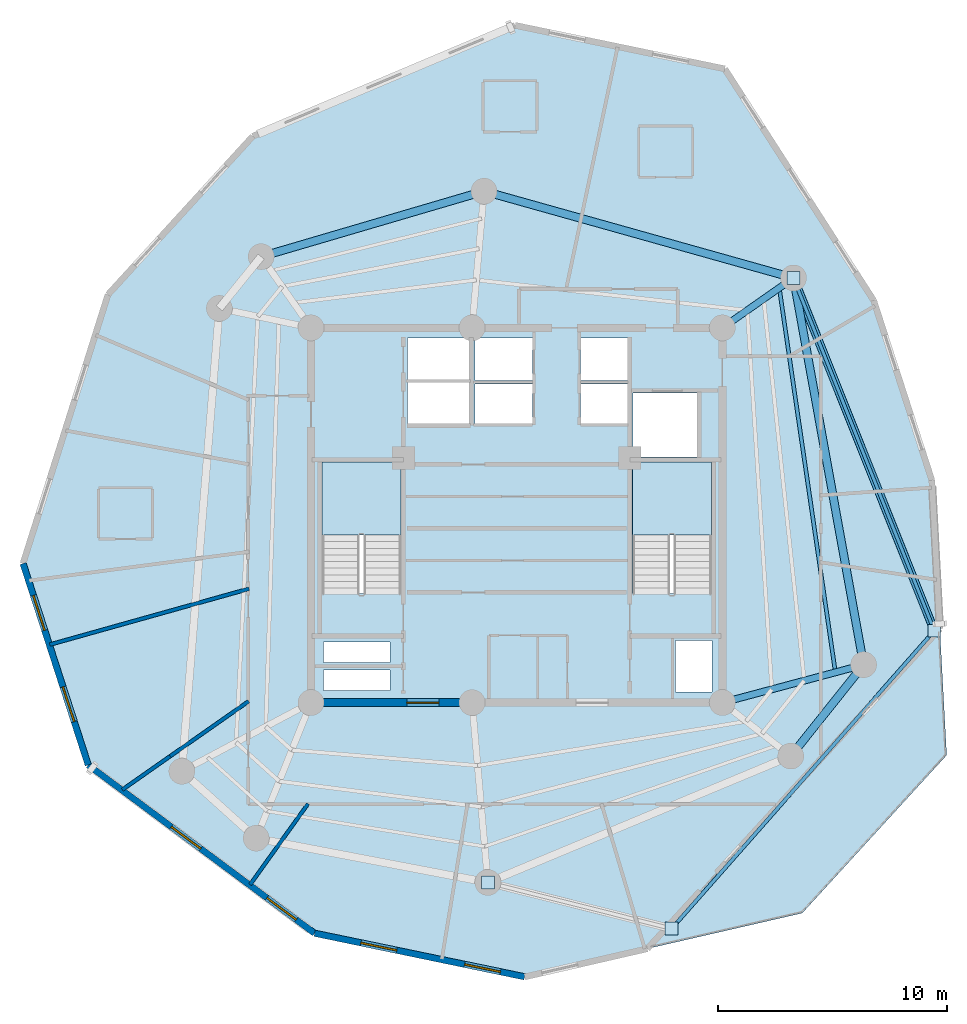
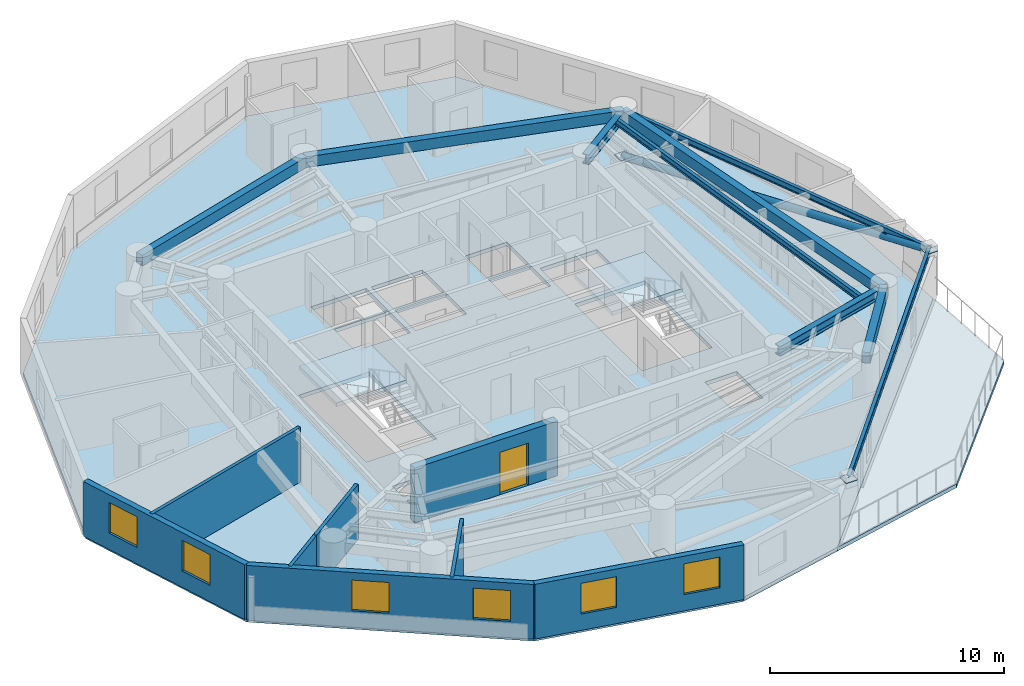
# One storey, part 2 of 9: 9 beams, 8 walls, 6 windows, 4 plates, 4 slabs, 1 door, 1 member, 7 openings, 2 elements without a shape of their own.
"""IFC4 building model written with IfcOpenShell, lengths in metres."""

from ifc_helpers import new_model, si_unit, direction, frame, frame_2d, origin, origin_with_axes, origin_2d, place, context, subcontext, project, spatial, polyline, rectangle, hollow_circle, i_section, outline, extrude, source, transform, mapped, material, layer, layer_set, material_profile, profile_set, type_object, element, fill, aggregate, save


model = new_model("IFC4")

# Units and contexts
model_context = context("Model", 3, precision=1e-05, world=origin(), true_north=direction((0.0, 1.0)))
body_context = subcontext(model_context, "Body", "Model", "MODEL_VIEW")
ifc_project = project(units=[si_unit("LENGTHUNIT", "METRE"), si_unit("AREAUNIT", "SQUARE_METRE"), si_unit("VOLUMEUNIT", "CUBIC_METRE"), si_unit("PLANEANGLEUNIT", "RADIAN"), si_unit("MASSUNIT", "GRAM", prefix="KILO")], contexts=[model_context])

# Site, building, storey
site_placement = place(None, origin())
site = spatial("IfcSite", under=ifc_project, at=site_placement, CompositionType="ELEMENT")
building_placement = place(site_placement, origin())
building = spatial("IfcBuilding", under=site, at=building_placement, Name="Karkom Vertical University and Central Library", CompositionType="ELEMENT")
storey_placement = place(building_placement, frame((0.0, 0.0, 232.14990234375)))
storey = spatial("IfcBuildingStorey", under=building, at=storey_placement, Name="L68", CompositionType="ELEMENT", Elevation=232.14990234375)

# Beams
ifc_material_1 = material(Name="Precast concrete C45/55", Category="concrete")
ifc_material_profile_1 = material_profile(ifc_material_1, rectangle(XDim=0.35009765625, YDim=0.550048828125, at=origin_2d()), Name="SPB-350x550")
ifc_profile_set_1 = profile_set([ifc_material_profile_1], Name="Precast concrete C45/55")
beam_type_1 = type_object("IfcBeamType", Name="STR-BM-SP-2", PredefinedType="SPANDREL", material=ifc_profile_set_1)
shared_shape_1 = source(origin_with_axes(), body_context, "Body", "SweptSolid", [
    extrude(rectangle(XDim=0.35009765625, YDim=0.550048828125, at=origin_2d()), origin(), (0.0, 0.0, 1.0), 17.19970703125),
])
beam_1_placement = place(storey_placement, frame((43.681884765625, 19.9560546875, 2.5751953125), z_axis=(-0.178423249727, 0.983953832228, 0.0), x_axis=(-0.983953832228, -0.178423249727, 0.0)))
element("IfcBeam", 1, at=beam_1_placement, inside=storey, type_object=beam_type_1, Name="Level 68 Perimeter Spandrel Beam 01", PredefinedType="SPANDREL", context=body_context, shape_type="MappedRepresentation", body=[
    mapped(shared_shape_1, transform((0.0, 0.0, 0.0), scale=1.0)),
])
shared_shape_2 = source(origin_with_axes(), body_context, "Body", "SweptSolid", [
    extrude(rectangle(XDim=0.35009765625, YDim=0.550048828125, at=origin_2d()), origin(), (0.0, 0.0, 1.0), 14.0625),
])
beam_2_placement = place(storey_placement, frame((40.613037109375, 36.8798828125, 2.5751953125), z_axis=(-0.962854853531, 0.270019501207, 0.0), x_axis=(-0.270019501207, -0.962854853531, 0.0)))
element("IfcBeam", 2, at=beam_2_placement, inside=storey, type_object=beam_type_1, Name="Level 68 Perimeter Spandrel Beam 02", PredefinedType="SPANDREL", context=body_context, shape_type="MappedRepresentation", body=[
    mapped(shared_shape_2, transform((0.0, 0.0, 0.0), scale=1.0)),
])
shared_shape_3 = source(origin_with_axes(), body_context, "Body", "SweptSolid", [
    extrude(rectangle(XDim=0.35009765625, YDim=0.550048828125, at=origin_2d()), origin(), (0.0, 0.0, 1.0), 10.164794921875),
])
beam_3_placement = place(storey_placement, frame((27.072998046875, 40.677001953125, 2.5751953125), z_axis=(-0.959485124536, -0.281759286971, 0.0), x_axis=(0.281759286971, -0.959485124536, 0.0)))
element("IfcBeam", 3, at=beam_3_placement, inside=storey, type_object=beam_type_1, Name="Level 68 Perimeter Spandrel Beam 03", PredefinedType="SPANDREL", context=body_context, shape_type="MappedRepresentation", body=[
    mapped(shared_shape_3, transform((0.0, 0.0, 0.0), scale=1.0)),
])
shared_shape_4 = source(origin_with_axes(), body_context, "Body", "SweptSolid", [
    extrude(rectangle(XDim=0.35009765625, YDim=0.550048828125, at=origin_2d()), origin(), (0.0, 0.0, 1.0), 5.112060546875),
])
beam_4_placement = place(storey_placement, frame((40.493896484375, 15.9599609375, 2.5751953125), z_axis=(0.623634459503, 0.78171609995, 0.0), x_axis=(-0.78171609995, 0.623634459503, 0.0)))
element("IfcBeam", 4, at=beam_4_placement, inside=storey, type_object=beam_type_1, Name="Level 68 Perimeter Spandrel Beam 09", PredefinedType="SPANDREL", context=body_context, shape_type="MappedRepresentation", body=[
    mapped(shared_shape_4, transform((0.0, 0.0, 0.0), scale=1.0)),
])
ifc_material_2 = material(Name="Steel S355", Category="steel")
ifc_material_profile_2 = material_profile(ifc_material_2, i_section(OverallWidth=0.159912109375, OverallDepth=0.330078125, WebThickness=0.007568359375, FlangeThickness=0.011474609375, FilletRadius=0.01806640625, at=origin_2d()), Name="IPE 330")
ifc_profile_set_2 = profile_set([ifc_material_profile_2], Name="Steel S355")
beam_type_2 = type_object("IfcBeamType", Name="STR-BM-SB-IPE330", PredefinedType="BEAM", material=ifc_profile_set_2)
shared_shape_5 = source(origin_with_axes(), body_context, "Body", "SweptSolid", [
    extrude(i_section(OverallWidth=0.159912109375, OverallDepth=0.330078125, WebThickness=0.007568359375, FlangeThickness=0.011474609375, FilletRadius=0.01806640625, at=origin_2d()), origin(), (0.0, 0.0, 1.0), 16.99755859375),
])
beam_5_placement = place(storey_placement, frame((42.445556640625, 19.624755859375, 2.68505859375), z_axis=(-0.144436985275, 0.98951400055, 0.0), x_axis=(-0.98951400055, -0.144436985275, 0.0)))
element("IfcBeam", 5, at=beam_5_placement, inside=storey, type_object=beam_type_2, Name="Level 68 Secondary Composite Floor Beam 3.01", PredefinedType="BEAM", context=body_context, shape_type="MappedRepresentation", body=[
    mapped(shared_shape_5, transform((0.0, 0.0, 0.0), scale=1.0)),
])
ifc_material_profile_3 = material_profile(ifc_material_2, i_section(OverallWidth=0.300048828125, OverallDepth=0.5, WebThickness=0.014404296875, FlangeThickness=0.028076171875, FilletRadius=0.027099609375, at=origin_2d()), Name="HE 500 B")
ifc_profile_set_3 = profile_set([ifc_material_profile_3], Name="Steel S355")
beam_type_3 = type_object("IfcBeamType", Name="STR-BM-SB-HE500", PredefinedType="USERDEFINED", material=ifc_profile_set_3)
shared_shape_6 = source(origin_with_axes(), body_context, "Body", "SweptSolid", [
    extrude(i_section(OverallWidth=0.300048828125, OverallDepth=0.5, WebThickness=0.014404296875, FlangeThickness=0.028076171875, FilletRadius=0.027099609375, at=origin_2d()), origin(), (0.0, 0.0, 1.0), 6.39990234375),
])
beam_6_placement = place(storey_placement, frame((37.5, 18.300048828125, 2.60009765625), z_axis=(0.965942432948, 0.258757060254, 0.0), x_axis=(-0.258757060254, 0.965942432948, 0.0)))
element("IfcBeam", 6, at=beam_6_placement, inside=storey, type_object=beam_type_3, Name="Level 68 Radial Frame Girder 01", ObjectType="GIRDER", PredefinedType="USERDEFINED", context=body_context, shape_type="MappedRepresentation", body=[
    mapped(shared_shape_6, transform((0.0, 0.0, 0.0), scale=1.0)),
])
shared_shape_7 = source(origin_with_axes(), body_context, "Body", "SweptSolid", [
    extrude(i_section(OverallWidth=0.300048828125, OverallDepth=0.5, WebThickness=0.014404296875, FlangeThickness=0.028076171875, FilletRadius=0.027099609375, at=origin_2d()), origin(), (0.0, 0.0, 1.0), 3.80029296875),
])
beam_7_placement = place(storey_placement, frame((37.5, 34.699951171875, 2.60009765625), z_axis=(0.819132313625, 0.573604613627, 0.0), x_axis=(-0.573604613627, 0.819132313625, 0.0)))
element("IfcBeam", 7, at=beam_7_placement, inside=storey, type_object=beam_type_3, Name="Level 68 Radial Frame Girder 02", ObjectType="GIRDER", PredefinedType="USERDEFINED", context=body_context, shape_type="MappedRepresentation", body=[
    mapped(shared_shape_7, transform((0.0, 0.0, 0.0), scale=1.0)),
])
shared_shape_8 = source(origin_with_axes(), body_context, "Body", "SweptSolid", [
    extrude(i_section(OverallWidth=0.159912109375, OverallDepth=0.330078125, WebThickness=0.007568359375, FlangeThickness=0.011474609375, FilletRadius=0.01806640625, at=origin_2d()), origin(), (0.0, 0.0, 1.0), 16.61962890625),
])
beam_8_placement = place(storey_placement, frame((40.613037109375, 36.8798828125, 2.68505859375), z_axis=(0.370668735769, -0.928765141639, 0.0), x_axis=(0.928765141639, 0.370668735769, 0.0)))
element("IfcBeam", 8, at=beam_8_placement, inside=storey, type_object=beam_type_2, Name="Level 68 Sky Garden Outrigger Support Beam 2", PredefinedType="BEAM", context=body_context, shape_type="MappedRepresentation", body=[
    mapped(shared_shape_8, transform((0.0, 0.0, 0.0), scale=1.0)),
])

# Member
ifc_material_profile_4 = material_profile(ifc_material_2, hollow_circle(Radius=0.177734375, WallThickness=0.01611328125, at=origin_2d()), Name="CHS 355.6x16")
ifc_profile_set_4 = profile_set([ifc_material_profile_4], Name="Steel S355")
member_type = type_object("IfcMemberType", Name="STR-MEM-BR-3", PredefinedType="BRACE", material=ifc_profile_set_4)
shared_shape_9 = source(origin_with_axes(), body_context, "Body", "SweptSolid", [
    extrude(hollow_circle(Radius=0.177734375, WallThickness=0.01611328125, at=origin_2d()), origin(), (0.0, 0.0, 1.0), 16.782958984375),
])
member_placement = place(storey_placement, frame((40.613037109375, 36.8798828125, 0.35009765625), z_axis=(0.367063800676, -0.919732445518, 0.139127261509), x_axis=(0.928765141639, 0.370668735769, 0.0)))
element("IfcMember", 9, at=member_placement, inside=storey, type_object=member_type, Name="Level 68 Sky Garden Knee Strut Brace 2", PredefinedType="BRACE", context=body_context, shape_type="MappedRepresentation", body=[
    mapped(shared_shape_9, transform((0.0, 0.0, 0.0), scale=1.0)),
])

# Beam
shared_shape_10 = source(origin_with_axes(), body_context, "Body", "SweptSolid", [
    extrude(i_section(OverallWidth=0.159912109375, OverallDepth=0.330078125, WebThickness=0.007568359375, FlangeThickness=0.011474609375, FilletRadius=0.01806640625, at=origin_2d()), origin(), (0.0, 0.0, 1.0), 17.379638671875),
])
beam_9_placement = place(storey_placement, frame((35.276611328125, 8.410400390625, 2.68505859375), z_axis=(0.661508730679, 0.74993746355, 0.0), x_axis=(-0.74993746355, 0.661508730679, 0.0)))
element("IfcBeam", 10, at=beam_9_placement, inside=storey, type_object=beam_type_2, Name="Level 68 Sky Garden Perimeter Edge Beam", PredefinedType="BEAM", context=body_context, shape_type="MappedRepresentation", body=[
    mapped(shared_shape_10, transform((0.0, 0.0, 0.0), scale=1.0)),
])

# Stair, slab
ifc_material_3 = material(Name="Concrete C45/55", Category="concrete")
stair_type = type_object("IfcStairType", Name="INT-STR-ST-MAIN", PredefinedType="HALF_TURN_STAIR", material=ifc_material_3)
stair_1_placement = place(storey_placement, origin())
stair_1 = element("IfcStair", 11, at=stair_1_placement, inside=storey, type_object=stair_type, Name="Level 68 Tower Protected Exit Stair ST-1", PredefinedType="HALF_TURN_STAIR")
ifc_layer_1 = layer(ifc_material_3, 0.199951171875)
ifc_layer_set_1 = layer_set([ifc_layer_1], Name="Concrete C45/55")
slab_type_1 = type_object("IfcSlabType", Name="INT-SLB-LANDING", PredefinedType="LANDING", material=ifc_layer_set_1)
slab_1_placement = place(storey_placement, frame((0.0, 0.0, 1.3251953125)))
slab_1 = element("IfcSlab", 12, at=slab_1_placement, type_object=slab_type_1, Name="ST-1 landing 1", PredefinedType="LANDING", context=body_context, shape_type="SweptSolid", body=[
    extrude(outline(polyline([(23.43994140625, 25.6298828125), (23.43994140625, 28.820068359375), (19.97998046875, 28.820068359375), (19.97998046875, 25.6298828125), (23.43994140625, 25.6298828125)])), origin(), (0.0, 0.0, 1.0), 0.199951171875),
])
aggregate(stair_1, [slab_1])

stair_2_placement = place(storey_placement, origin())
stair_2 = element("IfcStair", 13, at=stair_2_placement, inside=storey, type_object=stair_type, Name="Level 68 Tower Protected Exit Stair ST-2", PredefinedType="HALF_TURN_STAIR")
slab_2_placement = place(storey_placement, frame((0.0, 0.0, 1.3251953125)))
slab_2 = element("IfcSlab", 14, at=slab_2_placement, type_object=slab_type_1, Name="ST-2 landing 1", PredefinedType="LANDING", context=body_context, shape_type="SweptSolid", body=[
    extrude(outline(polyline([(37.02001953125, 25.6298828125), (37.02001953125, 28.820068359375), (33.56005859375, 28.820068359375), (33.56005859375, 25.6298828125), (37.02001953125, 25.6298828125)])), origin(), (0.0, 0.0, 1.0), 0.199951171875),
])
aggregate(stair_2, [slab_2])

# Slabs
ifc_material_4 = material(Name="Concrete C40/50", Category="concrete")
ifc_layer_2 = layer(ifc_material_4, 0.199951171875)
ifc_layer_set_2 = layer_set([ifc_layer_2], Name="Concrete C40/50")
slab_type_2 = type_object("IfcSlabType", Name="STR-SLB-FLR-200", PredefinedType="FLOOR", material=ifc_layer_set_2)
slab_3_placement = place(storey_placement, frame((0.0, 0.0, -0.199951171875)))
element("IfcSlab", 15, at=slab_3_placement, inside=storey, type_object=slab_type_2, Name="Level 68 Tower Structural Floor Slab", PredefinedType="FLOOR", context=body_context, shape_type="SweptSolid", body=[
    extrude(outline(polyline([(9.75244140625, 15.5693359375), (19.657470703125, 8.206787109375), (28.848388671875, 6.30029296875), (34.21826171875, 7.533203125), (47.01513671875, 21.52734375), (46.66357421875, 28.027099609375), (44.118408203125, 35.897216796875), (37.6044921875, 46.027099609375), (28.43310546875, 47.9296875), (16.955078125, 43.0791015625), (10.62060546875, 36.152099609375), (6.902099609375, 24.3837890625), (9.75244140625, 15.5693359375)]), holes=[polyline([(19.97998046875, 23.0849609375), (23.43994140625, 23.0849609375), (23.43994140625, 28.820068359375), (19.97998046875, 28.820068359375), (19.97998046875, 23.0849609375)]), polyline([(33.56005859375, 23.0849609375), (37.02001953125, 23.0849609375), (37.02001953125, 28.820068359375), (33.56005859375, 28.820068359375), (33.56005859375, 23.0849609375)]), polyline([(26.679931640625, 30.5), (29.199951171875, 30.5), (29.199951171875, 32.25), (26.679931640625, 32.25), (26.679931640625, 30.5)]), polyline([(26.679931640625, 32.39990234375), (29.199951171875, 32.39990234375), (29.199951171875, 34.25), (26.679931640625, 34.25), (26.679931640625, 32.39990234375)]), polyline([(31.300048828125, 30.5), (33.35009765625, 30.5), (33.35009765625, 32.25), (31.300048828125, 32.25), (31.300048828125, 30.5)]), polyline([(31.300048828125, 32.39990234375), (33.35009765625, 32.39990234375), (33.35009765625, 34.25), (31.300048828125, 34.25), (31.300048828125, 32.39990234375)]), polyline([(23.719970703125, 30.47998046875), (26.429931640625, 30.47998046875), (26.429931640625, 32.320068359375), (23.719970703125, 32.320068359375), (23.719970703125, 30.47998046875)]), polyline([(23.719970703125, 32.419921875), (26.429931640625, 32.419921875), (26.429931640625, 34.260009765625), (23.719970703125, 34.260009765625), (23.719970703125, 32.419921875)]), polyline([(33.60009765625, 29.050048828125), (36.39990234375, 29.050048828125), (36.39990234375, 31.85009765625), (33.60009765625, 31.85009765625), (33.60009765625, 29.050048828125)]), polyline([(20.050048828125, 18.820068359375), (22.949951171875, 18.820068359375), (22.949951171875, 19.719970703125), (20.050048828125, 19.719970703125), (20.050048828125, 18.820068359375)]), polyline([(20.050048828125, 20.06005859375), (22.949951171875, 20.06005859375), (22.949951171875, 20.9599609375), (20.050048828125, 20.9599609375), (20.050048828125, 20.06005859375)]), polyline([(35.4599609375, 18.760009765625), (37.0400390625, 18.760009765625), (37.0400390625, 21.010009765625), (35.4599609375, 21.010009765625), (35.4599609375, 18.760009765625)])]), origin(), (0.0, 0.0, 1.0), 0.199951171875),
])
ifc_layer_3 = layer(ifc_material_3, 0.199951171875)
ifc_layer_set_3 = layer_set([ifc_layer_3], Name="Concrete C45/55")
slab_type_3 = type_object("IfcSlabType", Name="STR-SLB-PLN-260", PredefinedType="USERDEFINED", material=ifc_layer_set_3)
slab_4_placement = place(storey_placement, frame((0.0, 0.0, -0.199951171875)))
element("IfcSlab", 16, at=slab_4_placement, inside=storey, type_object=slab_type_3, Name="Level 68 Spiral Sky Garden Planter Terrace", ObjectType="PLANTER", PredefinedType="USERDEFINED", context=body_context, shape_type="SweptSolid", body=[
    extrude(outline(polyline([(34.21826171875, 7.533203125), (40.993408203125, 9.0888671875), (47.314208984375, 16.001220703125), (47.01513671875, 21.52734375), (34.21826171875, 7.533203125)])), origin(), (0.0, 0.0, 1.0), 0.199951171875),
])

# Plates
ifc_layer_4 = layer(ifc_material_2, 0.028076171875)
ifc_layer_set_4 = layer_set([ifc_layer_4], Name="Steel S355")
plate_type = type_object("IfcPlateType", Name="STR-PLT-GP-2", PredefinedType="USERDEFINED", material=ifc_layer_set_4)
shared_shape_11 = source(origin_with_axes(), body_context, "Body", "SweptSolid", [
    extrude(rectangle(XDim=0.56005859375, YDim=0.56005859375, at=origin_2d()), origin(), (0.0, 0.0, 1.0), 0.028076171875),
])
for number, where, z_axis, x_axis, name in (
    (17, (27.239013671875, 10.429931640625, 0.3359375), (0.0, 0.0, 1.0), (1.0, 0.0, 0.0), "Level 68 Node Gusset Cap Plate L68-SKG-KNEE-1 A"),
    (18, (35.276611328125, 8.410400390625, 2.6708984375), (0.0, 0.0, 1.0), (1.0, 0.0, 0.0), "Level 68 Node Gusset Cap Plate L68-SKG-KNEE-1 B"),
    (19, (40.613037109375, 36.8798828125, 0.3359375), (0.0, 0.0, 1.0), (1.0, 0.0, 0.0), "Level 68 Node Gusset Cap Plate L68-SKG-KNEE-2 A"),
    (20, (46.7734375, 21.444091796875, 2.6708984375), (0.0, 0.0, 1.0), (1.0, 0.0, 0.0), "Level 68 Node Gusset Cap Plate L68-SKG-KNEE-2 B"),
):
    element("IfcPlate", number, at=place(storey_placement, frame(where, z_axis=z_axis, x_axis=x_axis)), inside=storey, type_object=plate_type, Name=name, ObjectType="GUSSET PLATE", PredefinedType="USERDEFINED", context=body_context, shape_type="MappedRepresentation", body=[
        mapped(shared_shape_11, transform((0.0, 0.0, 0.0), scale=1.0)),
    ])

# Wall, openings, windows
ifc_material_5 = material(Name="Brick-faced precast concrete C45/55", Category="masonry")
ifc_layer_5 = layer(ifc_material_5, 0.280029296875)
ifc_layer_set_5 = layer_set([ifc_layer_5], Name="Brick-faced precast concrete C45/55")
wall_type_1 = type_object("IfcWallType", Name="ENV-WL-BRK-280", PredefinedType="SOLIDWALL", material=ifc_layer_set_5)
wall_1_placement = place(storey_placement, frame((9.75244140625, 15.5693359375, 0.0), z_axis=(0.0, 0.0, 1.0), x_axis=(0.802568222185, -0.596560347944, 0.0)))
wall_1 = element("IfcWall", 21, at=wall_1_placement, inside=storey, type_object=wall_type_1, Name="Level 68 Brick-Faced Precast Facade Wall 01", PredefinedType="SOLIDWALL", context=body_context, shape_type="SweptSolid", body=[
    extrude(rectangle(XDim=12.341552734375, YDim=0.280029296875, at=frame_2d((6.1708984375, 0.0))), origin(), (0.0, 0.0, 1.0), 2.85009765625),
])
opening_1_placement = place(wall_1_placement, frame((4.531005859375, 0.0, 0.85009765625)))
opening_1 = element("IfcOpeningElement", 22, at=opening_1_placement, cuts=wall_1, Name="Opening WN-10", PredefinedType="OPENING", context=body_context, shape_type="SweptSolid", body=[
    extrude(rectangle(XDim=1.60009765625, YDim=1.60009765625, at=frame_2d((0.800048828125, 0.800048828125))), frame((0.0, 0.14990234375, 0.0), z_axis=(0.0, -1.0, 0.0), x_axis=(1.0, 0.0, 0.0)), (0.0, 0.0, 1.0), 0.300048828125),
])
opening_2_placement = place(wall_1_placement, frame((9.743896484375, 0.0, 0.85009765625)))
opening_2 = element("IfcOpeningElement", 23, at=opening_2_placement, cuts=wall_1, Name="Opening WN-10", PredefinedType="OPENING", context=body_context, shape_type="SweptSolid", body=[
    extrude(rectangle(XDim=1.60009765625, YDim=1.60009765625, at=frame_2d((0.800048828125, 0.800048828125))), frame((0.0, 0.14990234375, 0.0), z_axis=(0.0, -1.0, 0.0), x_axis=(1.0, 0.0, 0.0)), (0.0, 0.0, 1.0), 0.300048828125),
])
ifc_material_6 = material(Name="Aluminium thermal-break frame with solar-control IGU", Category="aluminium")
window_type = type_object("IfcWindowType", Name="ENV-WIN-WN-10", PartitioningType="SINGLE_PANEL", PredefinedType="WINDOW", material=ifc_material_6)
shared_shape_12 = source(origin_with_axes(), body_context, "Body", "SweptSolid", [
    extrude(rectangle(XDim=1.60009765625, YDim=1.60009765625, at=frame_2d((0.800048828125, 0.800048828125))), frame((0.0, 0.030029296875, 0.0), z_axis=(0.0, -1.0, 0.0), x_axis=(1.0, 0.0, 0.0)), (0.0, 0.0, 1.0), 0.06005859375),
])
window_1_placement = place(opening_1_placement, origin())
window_1 = element("IfcWindow", 24, at=window_1_placement, inside=storey, type_object=window_type, Name="Level 68 Punched Window 1.1", OverallHeight=1.60009765625, OverallWidth=1.60009765625, PartitioningType="SINGLE_PANEL", PredefinedType="WINDOW", context=body_context, shape_type="MappedRepresentation", body=[
    mapped(shared_shape_12, transform((0.0, 0.0, 0.0), scale=1.0)),
])
fill(opening_1, window_1)
window_2_placement = place(opening_2_placement, origin())
window_2 = element("IfcWindow", 25, at=window_2_placement, inside=storey, type_object=window_type, Name="Level 68 Punched Window 1.2", OverallHeight=1.60009765625, OverallWidth=1.60009765625, PartitioningType="SINGLE_PANEL", PredefinedType="WINDOW", context=body_context, shape_type="MappedRepresentation", body=[
    mapped(shared_shape_12, transform((0.0, 0.0, 0.0), scale=1.0)),
])
fill(opening_2, window_2)

wall_2_placement = place(storey_placement, frame((19.657470703125, 8.206787109375, 0.0), z_axis=(0.0, 0.0, 1.0), x_axis=(0.979156192666, -0.203108715628, 0.0)))
wall_2 = element("IfcWall", 26, at=wall_2_placement, inside=storey, type_object=wall_type_1, Name="Level 68 Brick-Faced Precast Facade Wall 02", PredefinedType="SOLIDWALL", context=body_context, shape_type="SweptSolid", body=[
    extrude(rectangle(XDim=9.386474609375, YDim=0.280029296875, at=frame_2d((4.693359375, 0.0))), origin(), (0.0, 0.0, 1.0), 2.85009765625),
])
opening_3_placement = place(wall_2_placement, frame((2.069580078125, 0.0, 0.85009765625)))
opening_3 = element("IfcOpeningElement", 27, at=opening_3_placement, cuts=wall_2, Name="Opening WN-10", PredefinedType="OPENING", context=body_context, shape_type="SweptSolid", body=[
    extrude(rectangle(XDim=1.60009765625, YDim=1.60009765625, at=frame_2d((0.800048828125, 0.800048828125))), frame((0.0, 0.14990234375, 0.0), z_axis=(0.0, -1.0, 0.0), x_axis=(1.0, 0.0, 0.0)), (0.0, 0.0, 1.0), 0.300048828125),
])
opening_4_placement = place(wall_2_placement, frame((6.702880859375, 0.0, 0.85009765625)))
opening_4 = element("IfcOpeningElement", 28, at=opening_4_placement, cuts=wall_2, Name="Opening WN-10", PredefinedType="OPENING", context=body_context, shape_type="SweptSolid", body=[
    extrude(rectangle(XDim=1.60009765625, YDim=1.60009765625, at=frame_2d((0.800048828125, 0.800048828125))), frame((0.0, 0.14990234375, 0.0), z_axis=(0.0, -1.0, 0.0), x_axis=(1.0, 0.0, 0.0)), (0.0, 0.0, 1.0), 0.300048828125),
])
window_3_placement = place(opening_3_placement, origin())
window_3 = element("IfcWindow", 29, at=window_3_placement, inside=storey, type_object=window_type, Name="Level 68 Punched Window 2.1", OverallHeight=1.60009765625, OverallWidth=1.60009765625, PartitioningType="SINGLE_PANEL", PredefinedType="WINDOW", context=body_context, shape_type="MappedRepresentation", body=[
    mapped(shared_shape_12, transform((0.0, 0.0, 0.0), scale=1.0)),
])
fill(opening_3, window_3)
window_4_placement = place(opening_4_placement, origin())
window_4 = element("IfcWindow", 30, at=window_4_placement, inside=storey, type_object=window_type, Name="Level 68 Punched Window 2.2", OverallHeight=1.60009765625, OverallWidth=1.60009765625, PartitioningType="SINGLE_PANEL", PredefinedType="WINDOW", context=body_context, shape_type="MappedRepresentation", body=[
    mapped(shared_shape_12, transform((0.0, 0.0, 0.0), scale=1.0)),
])
fill(opening_4, window_4)

wall_3_placement = place(storey_placement, frame((6.902099609375, 24.3837890625, 0.0), z_axis=(0.0, 0.0, 1.0), x_axis=(0.307684157232, -0.951488549268, 0.0)))
wall_3 = element("IfcWall", 31, at=wall_3_placement, inside=storey, type_object=wall_type_1, Name="Level 68 Brick-Faced Precast Facade Wall 12", PredefinedType="SOLIDWALL", context=body_context, shape_type="SweptSolid", body=[
    extrude(rectangle(XDim=9.263916015625, YDim=0.280029296875, at=frame_2d((4.6318359375, 0.0))), origin(), (0.0, 0.0, 1.0), 2.85009765625),
])
opening_5_placement = place(wall_3_placement, frame((1.4677734375, 0.0, 0.85009765625)))
opening_5 = element("IfcOpeningElement", 32, at=opening_5_placement, cuts=wall_3, Name="Opening WN-10", PredefinedType="OPENING", context=body_context, shape_type="SweptSolid", body=[
    extrude(rectangle(XDim=1.60009765625, YDim=1.60009765625, at=frame_2d((0.800048828125, 0.800048828125))), frame((0.0, 0.14990234375, 0.0), z_axis=(0.0, -1.0, 0.0), x_axis=(1.0, 0.0, 0.0)), (0.0, 0.0, 1.0), 0.300048828125),
])
opening_6_placement = place(wall_3_placement, frame((5.669921875, 0.0, 0.85009765625)))
opening_6 = element("IfcOpeningElement", 33, at=opening_6_placement, cuts=wall_3, Name="Opening WN-10", PredefinedType="OPENING", context=body_context, shape_type="SweptSolid", body=[
    extrude(rectangle(XDim=1.60009765625, YDim=1.60009765625, at=frame_2d((0.800048828125, 0.800048828125))), frame((0.0, 0.14990234375, 0.0), z_axis=(0.0, -1.0, 0.0), x_axis=(1.0, 0.0, 0.0)), (0.0, 0.0, 1.0), 0.300048828125),
])
window_5_placement = place(opening_5_placement, origin())
window_5 = element("IfcWindow", 34, at=window_5_placement, inside=storey, type_object=window_type, Name="Level 68 Punched Window 12.1", OverallHeight=1.60009765625, OverallWidth=1.60009765625, PartitioningType="SINGLE_PANEL", PredefinedType="WINDOW", context=body_context, shape_type="MappedRepresentation", body=[
    mapped(shared_shape_12, transform((0.0, 0.0, 0.0), scale=1.0)),
])
fill(opening_5, window_5)
window_6_placement = place(opening_6_placement, origin())
window_6 = element("IfcWindow", 35, at=window_6_placement, inside=storey, type_object=window_type, Name="Level 68 Punched Window 12.2", OverallHeight=1.60009765625, OverallWidth=1.60009765625, PartitioningType="SINGLE_PANEL", PredefinedType="WINDOW", context=body_context, shape_type="MappedRepresentation", body=[
    mapped(shared_shape_12, transform((0.0, 0.0, 0.0), scale=1.0)),
])
fill(opening_6, window_6)

# Walls
ifc_material_7 = material(Name="Insulated metal-stud drywall 160mm", Category="gypsum")
ifc_layer_6 = layer(ifc_material_7, 0.159912109375)
ifc_layer_set_6 = layer_set([ifc_layer_6], Name="Insulated metal-stud drywall 160mm")
wall_type_2 = type_object("IfcWallType", Name="INT-WL-COR-160", PredefinedType="PARTITIONING", material=ifc_layer_set_6)
wall_4_placement = place(storey_placement, frame((16.793212890625, 23.28173828125, 0.0), z_axis=(0.0, 0.0, 1.0), x_axis=(-0.962908551291, -0.269827948609, 0.0)))
element("IfcWall", 36, at=wall_4_placement, inside=storey, type_object=wall_type_2, Name="Level 68 Interior Partition Wall L68-PW-001", PredefinedType="PARTITIONING", context=body_context, shape_type="SweptSolid", body=[
    extrude(rectangle(XDim=9.054443359375, YDim=0.159912109375, at=frame_2d((4.52734375, 0.0))), origin(), (0.0, 0.0, 1.0), 2.85009765625),
])
wall_5_placement = place(storey_placement, frame((19.372802734375, 13.87451171875, 0.0), z_axis=(0.0, 0.0, 1.0), x_axis=(-0.582738076312, -0.812660036188, 0.0)))
element("IfcWall", 37, at=wall_5_placement, inside=storey, type_object=wall_type_2, Name="Level 68 Interior Partition Wall L68-PW-005", PredefinedType="PARTITIONING", context=body_context, shape_type="SweptSolid", body=[
    extrude(rectangle(XDim=4.3544921875, YDim=0.159912109375, at=frame_2d((2.17724609375, 0.0))), origin(), (0.0, 0.0, 1.0), 2.85009765625),
])
wall_6_placement = place(storey_placement, frame((16.774658203125, 18.36083984375, 0.0), z_axis=(0.0, 0.0, 1.0), x_axis=(-0.819095148896, -0.573657682816, 0.0)))
element("IfcWall", 38, at=wall_6_placement, inside=storey, type_object=wall_type_2, Name="Level 68 Interior Partition Wall L68-PW-003", PredefinedType="PARTITIONING", context=body_context, shape_type="SweptSolid", body=[
    extrude(rectangle(XDim=4.193603515625, YDim=0.159912109375, at=frame_2d((2.0966796875, 0.0))), origin(), (0.0, 0.0, 1.0), 2.85009765625),
])
wall_7_placement = place(storey_placement, frame((13.33544921875, 15.9521484375, 0.0), z_axis=(0.0, 0.0, 1.0), x_axis=(-0.819060984625, -0.573706461063, 0.0)))
element("IfcWall", 39, at=wall_7_placement, inside=storey, type_object=wall_type_2, Name="Level 68 Interior Partition Wall L68-PW-004", PredefinedType="PARTITIONING", context=body_context, shape_type="SweptSolid", body=[
    extrude(rectangle(XDim=2.55029296875, YDim=0.159912109375, at=frame_2d((1.275146484375, 0.0))), origin(), (0.0, 0.0, 1.0), 2.85009765625),
])

# Wall, opening, door
ifc_layer_7 = layer(ifc_material_3, 0.35009765625)
ifc_layer_set_7 = layer_set([ifc_layer_7], Name="Concrete C45/55")
wall_type_3 = type_object("IfcWallType", Name="STR-WL-CW-350", PredefinedType="SHEAR", material=ifc_layer_set_7)
wall_8_placement = place(storey_placement, frame((19.5, 18.300048828125, 0.0), z_axis=(0.0, 0.0, 1.0), x_axis=(1.0, 0.0, 0.0)))
wall_8 = element("IfcWall", 40, at=wall_8_placement, inside=storey, type_object=wall_type_3, Name="Level 68 Central Core Shear Wall SW1", PredefinedType="SHEAR", context=body_context, shape_type="SweptSolid", body=[
    extrude(rectangle(XDim=7.050048828125, YDim=0.35009765625, at=frame_2d((3.52490234375, 0.0))), origin(), (0.0, 0.0, 1.0), 2.85009765625),
])
opening_7_placement = place(wall_8_placement, frame((4.199951171875, 0.0, 0.0)))
opening_7 = element("IfcOpeningElement", 41, at=opening_7_placement, cuts=wall_8, Name="Opening FD-CLB", PredefinedType="OPENING", context=body_context, shape_type="SweptSolid", body=[
    extrude(rectangle(XDim=1.39990234375, YDim=2.199951171875, at=frame_2d((0.699951171875, 1.10009765625))), frame((0.0, 0.18505859375, 0.0), z_axis=(0.0, -1.0, 0.0), x_axis=(1.0, 0.0, 0.0)), (0.0, 0.0, 1.0), 0.3701171875),
])
ifc_material_8 = material(Name="Painted steel fire door", Category="steel")
door_type = type_object("IfcDoorType", Name="INT-DR-CLB", OperationType="DOUBLE_DOOR_SINGLE_SWING", PredefinedType="DOOR", material=ifc_material_8)
shared_shape_13 = source(origin_with_axes(), body_context, "Body", "SweptSolid", [
    extrude(rectangle(XDim=1.39990234375, YDim=2.199951171875, at=frame_2d((0.699951171875, 1.10009765625))), frame((0.0, 0.02490234375, 0.0), z_axis=(0.0, -1.0, 0.0), x_axis=(1.0, 0.0, 0.0)), (0.0, 0.0, 1.0), 0.050048828125),
])
door_placement = place(opening_7_placement, origin())
door = element("IfcDoor", 42, at=door_placement, inside=storey, type_object=door_type, Name="Level 68 South Core Lobby West Exit Door", OperationType="DOUBLE_DOOR_SINGLE_SWING", OverallHeight=2.199951171875, OverallWidth=1.39990234375, PredefinedType="DOOR", context=body_context, shape_type="MappedRepresentation", body=[
    mapped(shared_shape_13, transform((0.0, 0.0, 0.0), scale=1.0)),
])
fill(opening_7, door)

save(model, "model.ifc")
